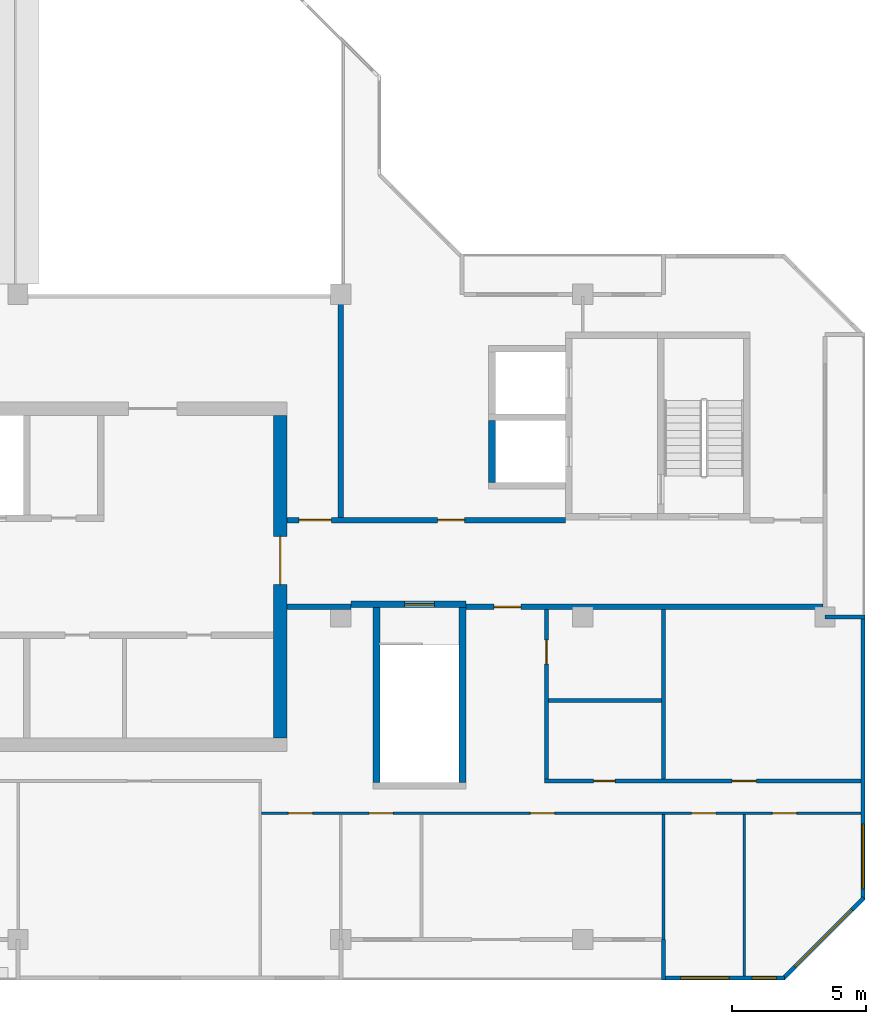
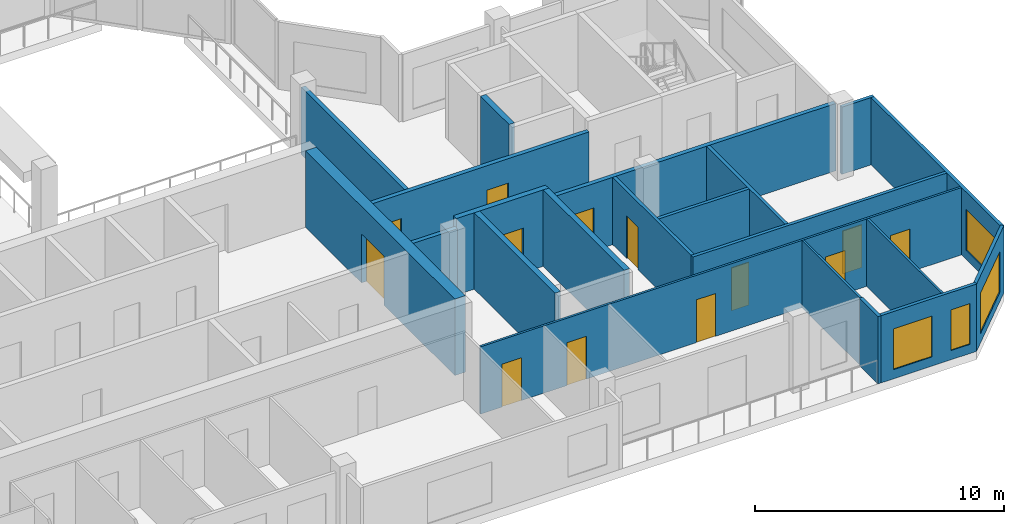
# One storey, part 6 of 11: 21 walls, 13 doors, 4 windows, 17 openings.
"""IFC4 building model written with IfcOpenShell, lengths in metres."""

import ifcopenshell
import ifcopenshell.guid

model = None  # the IFC model being written
_history = None  # IfcOwnerHistory: only IFC2X3 demands one
_inside = {}  # id of a spatial element -> (the spatial element, [elements in it])
_under = {}  # id of a project, library or spatial element -> (it, [spatial elements below it])
_declared = {}  # id of a project -> (the project, [libraries it declares])
_typed = {}  # id of a type object -> (the type object, [elements of that type])
_made_of = {}  # id of a material, layer set ... -> (it, [elements and type objects made of it])


def new_model(schema):
    """Start an empty IFC model of exactly this schema.

    Asked for "IFC4X3", IfcOpenShell would pick the latest addendum, in which some entities
    have other attributes; the version numbers below select the first issue.
    IFC2X3 requires an IfcOwnerHistory on every rooted entity: one is made here for all.
    """
    global model, _history
    if schema == "IFC4X3":
        model = ifcopenshell.file(schema_version=(4, 3, 0, 0))
    else:
        model = ifcopenshell.file(schema=schema)
    _inside.clear()
    _under.clear()
    _declared.clear()
    _typed.clear()
    _made_of.clear()
    _history = None
    if model.schema == "IFC2X3":
        org = make("IfcOrganization", Name="unknown")
        user = make(
            "IfcPersonAndOrganization",
            ThePerson=make("IfcPerson", FamilyName="unknown"),
            TheOrganization=org,
        )
        app = make(
            "IfcApplication",
            ApplicationDeveloper=org,
            Version="unknown",
            ApplicationFullName="unknown",
            ApplicationIdentifier="unknown",
        )
        _history = make(
            "IfcOwnerHistory",
            OwningUser=user,
            OwningApplication=app,
            ChangeAction="ADDED",
            CreationDate=0,
        )
    return model


def make(cls, **values):
    """One entity of the class cls with the attributes given. An attribute that is None is left unset."""
    return model.create_entity(
        cls, **{name: value for name, value in values.items() if value is not None}
    )


def rooted(cls, **values):
    """An entity with a GlobalId (a new one), such as an element, a storey or a relation."""
    return make(cls, GlobalId=ifcopenshell.guid.new(), OwnerHistory=_history, **values)


def si_unit(unit_type, name, prefix=None):
    """IfcSIUnit, for example si_unit("LENGTHUNIT", "METRE", prefix="MILLI")."""
    return make("IfcSIUnit", UnitType=unit_type, Prefix=prefix, Name=name)


def assignment(units):
    """IfcUnitAssignment: the units of a project."""
    return None if units is None else make("IfcUnitAssignment", Units=units)


def point(xyz):
    """IfcCartesianPoint."""
    return None if xyz is None else make("IfcCartesianPoint", Coordinates=xyz)


def direction(xyz):
    """IfcDirection."""
    return None if xyz is None else make("IfcDirection", DirectionRatios=xyz)


def frame(location, z_axis=None, x_axis=None):
    """IfcAxis2Placement3D, a coordinate frame: its origin and axes. An axis left out is left unset."""
    return make(
        "IfcAxis2Placement3D",
        Location=point(location),
        Axis=direction(z_axis),
        RefDirection=direction(x_axis),
    )


def frame_2d(location, x_axis=None):
    """IfcAxis2Placement2D, a coordinate frame in the plane: its origin and x axis."""
    return make(
        "IfcAxis2Placement2D", Location=point(location), RefDirection=direction(x_axis)
    )


def origin():
    """The frame at (0, 0, 0) with its axes left unset."""
    return frame((0.0, 0.0, 0.0))


def place(relative_to, where):
    """IfcLocalPlacement: puts the frame where relative to a parent placement (None: the world)."""
    return make(
        "IfcLocalPlacement", PlacementRelTo=relative_to, RelativePlacement=where
    )


def context(
    kind, dimensions, precision=None, world=None, true_north=None, identifier=None
):
    """IfcGeometricRepresentationContext, for example the 3D "Model" context."""
    return make(
        "IfcGeometricRepresentationContext",
        ContextIdentifier=identifier,
        ContextType=kind,
        CoordinateSpaceDimension=dimensions,
        Precision=precision,
        WorldCoordinateSystem=world,
        TrueNorth=true_north,
    )


def subcontext(parent, identifier, kind, view, scale=None):
    """IfcGeometricRepresentationSubContext, for example "Body" below "Model"."""
    return make(
        "IfcGeometricRepresentationSubContext",
        ContextIdentifier=identifier,
        ContextType=kind,
        ParentContext=parent,
        TargetScale=scale,
        TargetView=view,
    )


def project(units=None, contexts=None):
    """IfcProject with its units and contexts."""
    return rooted(
        "IfcProject",
        Name="project",
        RepresentationContexts=contexts,
        UnitsInContext=assignment(units),
    )


def spatial(cls, under=None, at=None, **own):
    """A site, building, storey or space (cls), placed at a placement, below another one or the project."""
    s = rooted(cls, ObjectPlacement=at, **own)
    if under is not None:
        _under.setdefault(under.id(), (under, []))[1].append(s)
    return s


def profile(cls, at=None, kind="AREA", **sizes):
    """A parametric profile (cls). Its sizes go by their IFC names, for example OverallWidth=200.0."""
    return make(cls, ProfileType=kind, Position=at, **sizes)


def rectangle(**sizes):
    """IfcRectangleProfileDef."""
    return profile("IfcRectangleProfileDef", **sizes)


def extrude(swept, where, along, depth):
    """IfcExtrudedAreaSolid: the profile swept, set in the frame where, extruded along a direction by depth."""
    return make(
        "IfcExtrudedAreaSolid",
        SweptArea=swept,
        Position=where,
        ExtrudedDirection=direction(along),
        Depth=depth,
    )


def shape(context_of_items, identifier, shape_type, items):
    """IfcShapeRepresentation: the items that make up one representation, for example the "Body"."""
    return make(
        "IfcShapeRepresentation",
        ContextOfItems=context_of_items,
        RepresentationIdentifier=identifier,
        RepresentationType=shape_type,
        Items=items,
    )


def material(Name=None, Category=None):
    """IfcMaterial."""
    return make("IfcMaterial", Name=Name, Category=Category)


def layer(
    of_material, thickness, ventilated=None, Name=None, Category=None, Priority=None
):
    """IfcMaterialLayer: one layer of a wall or slab, of a material (None: an air gap)."""
    return make(
        "IfcMaterialLayer",
        Material=of_material,
        LayerThickness=thickness,
        IsVentilated=ventilated,
        Name=Name,
        Category=Category,
        Priority=Priority,
    )


def layer_set(layers, Name=None):
    """IfcMaterialLayerSet."""
    return make("IfcMaterialLayerSet", MaterialLayers=layers, LayerSetName=Name)


def made_of(thing, what):
    """Note that an element or type object is made of a material, layer set ...; save() writes the relation."""
    if what is not None:
        _made_of.setdefault(what.id(), (what, []))[1].append(thing)
    return thing


def type_object(cls, material=None, **own):
    """A type object (cls), such as IfcWallType, which elements share."""
    return made_of(rooted(cls, **own), material)


def element(
    cls,
    number,
    at=None,
    inside=None,
    cuts=None,
    type_object=None,
    material=None,
    context=None,
    identifier="Body",
    shape_type=None,
    held_by="IfcProductDefinitionShape",
    body=None,
    shapes=None,
    **own,
):
    """One element of the class cls, such as IfcWall. Its Tag is "e" and its number.

    at: its placement. inside: the storey or other place that contains it. cuts: it is an
    opening in that element (IfcRelVoidsElement). A single representation is given by context,
    identifier, shape_type and body (its items); several are given by shapes. held_by: the class
    of the entity that holds the representations. save() writes the other relations.
    """
    e = rooted(cls, Tag="e%d" % number, ObjectPlacement=at, **own)
    if body is not None:
        shapes = [shape(context, identifier, shape_type, body)]
    if shapes is not None:
        e.Representation = make(held_by, Representations=shapes)
    if inside is not None:
        _inside.setdefault(inside.id(), (inside, []))[1].append(e)
    if cuts is not None:
        rooted(
            "IfcRelVoidsElement", RelatingBuildingElement=cuts, RelatedOpeningElement=e
        )
    if type_object is not None:
        _typed.setdefault(type_object.id(), (type_object, []))[1].append(e)
    return made_of(e, material)


def fill(opening, filler):
    """IfcRelFillsElement: the door or window that sits in an opening."""
    return rooted(
        "IfcRelFillsElement",
        RelatingOpeningElement=opening,
        RelatedBuildingElement=filler,
    )


def aggregate(whole, parts):
    """IfcRelAggregates: a whole, such as a stair, and the parts it consists of."""
    return rooted("IfcRelAggregates", RelatingObject=whole, RelatedObjects=parts)


def save(model, path):
    """Write the relations noted so far, then the file.

    IfcRelAggregates (storeys below a building ...), IfcRelContainedInSpatialStructure (elements
    in a storey), IfcRelDefinesByType, IfcRelAssociatesMaterial and IfcRelDeclares: one each for
    every whole, place, type object, material and project.
    """
    for whole, parts in _under.values():
        aggregate(whole, parts)
    for where, things in _inside.values():
        rooted(
            "IfcRelContainedInSpatialStructure",
            RelatedElements=things,
            RelatingStructure=where,
        )
    for kind, things in _typed.values():
        rooted("IfcRelDefinesByType", RelatedObjects=things, RelatingType=kind)
    for what, things in _made_of.values():
        rooted("IfcRelAssociatesMaterial", RelatedObjects=things, RelatingMaterial=what)
    for by, libraries in _declared.values():
        rooted("IfcRelDeclares", RelatingContext=by, RelatedDefinitions=libraries)
    model.write(path)


model = new_model("IFC4")

# Units and contexts
model_context = context("Model", 3, precision=1e-05, world=origin(), true_north=direction((0.0, 1.0)))
body_context = subcontext(model_context, "Body", "Model", "MODEL_VIEW")
ifc_project = project(units=[si_unit("LENGTHUNIT", "METRE"), si_unit("AREAUNIT", "SQUARE_METRE"), si_unit("VOLUMEUNIT", "CUBIC_METRE"), si_unit("PLANEANGLEUNIT", "RADIAN"), si_unit("MASSUNIT", "GRAM", prefix="KILO")], contexts=[model_context])

# Site, building, storey
site_placement = place(None, origin())
site = spatial("IfcSite", under=ifc_project, at=site_placement, CompositionType="ELEMENT")
building_placement = place(site_placement, origin())
building = spatial("IfcBuilding", under=site, at=building_placement, Name="Chenar Terraces", CompositionType="ELEMENT")
storey_placement = place(building_placement, frame((0.0, 0.0, 380.14990234375)))
storey = spatial("IfcBuildingStorey", under=building, at=storey_placement, Name="L89", CompositionType="ELEMENT", Elevation=380.14990234375)

# Wall, opening, door
ifc_material_1 = material(Name="Concrete C50/60", Category="concrete")
ifc_layer_1 = layer(ifc_material_1, 0.25)
ifc_layer_set_1 = layer_set([ifc_layer_1], Name="Concrete C50/60")
wall_type_1 = type_object("IfcWallType", Name="Core wall 250 Concrete C50/60", PredefinedType="SHEAR", material=ifc_layer_set_1)
wall_1_placement = place(storey_placement, frame((36.375, 12.47509765625, 0.0), z_axis=(0.0, 0.0, 1.0), x_axis=(1.0, 0.0, 0.0)))
wall_1 = element("IfcWall", 1, at=wall_1_placement, inside=storey, type_object=wall_type_1, Name="Core wall ST2_N L89", PredefinedType="SHEAR", context=body_context, shape_type="SweptSolid", body=[
    extrude(rectangle(XDim=4.27490234375, YDim=0.25, at=frame_2d((2.137451171875, 0.0))), origin(), (0.0, 0.0, 1.0), 3.75),
])
opening_1_placement = place(wall_1_placement, frame((2.0, 0.0, 0.0)))
opening_1 = element("IfcOpeningElement", 2, at=opening_1_placement, cuts=wall_1, Name="Opening DL89-C7", PredefinedType="OPENING", context=body_context, shape_type="SweptSolid", body=[
    extrude(rectangle(XDim=1.10009765625, YDim=2.199951171875, at=frame_2d((0.550048828125, 1.10009765625))), frame((0.0, 0.135009765625, 0.0), z_axis=(0.0, -1.0, 0.0), x_axis=(1.0, 0.0, 0.0)), (0.0, 0.0, 1.0), 0.27001953125),
])
ifc_material_2 = material(Name="Steel-framed fire-resisting door leaf", Category="steel")
door_type_1 = type_object("IfcDoorType", Name="Stair fire door FD60 1100 x 2200", OperationType="SINGLE_SWING_LEFT", PredefinedType="DOOR", material=ifc_material_2)
door_1_placement = place(opening_1_placement, frame((1.10009765625, 0.0, 0.0), z_axis=(0.0, 0.0, 1.0), x_axis=(-1.0, 0.0, 0.0)))
door_1 = element("IfcDoor", 3, at=door_1_placement, inside=storey, type_object=door_type_1, Name="Stair door DL89-C7", OperationType="SINGLE_SWING_LEFT", OverallHeight=2.199951171875, OverallWidth=1.10009765625, PredefinedType="DOOR", context=body_context, shape_type="SweptSolid", body=[
    extrude(rectangle(XDim=1.10009765625, YDim=2.199951171875, at=frame_2d((0.550048828125, 1.10009765625))), frame((0.0, 0.02490234375, 0.0), z_axis=(0.0, -1.0, 0.0), x_axis=(1.0, 0.0, 0.0)), (0.0, 0.0, 1.0), 0.050048828125),
])
fill(opening_1, door_1)

# Walls
for number, where, z_axis, x_axis, name in (
    (4, (37.324951171875, 5.85009765625, 0.0), (0.0, 0.0, 1.0), (0.0, 1.0, 0.0), "Core wall ST2_W L89"),
    (5, (40.52490234375, 5.85009765625, 0.0), (0.0, 0.0, 1.0), (0.0, 1.0, 0.0), "Core wall ST2_E L89"),
):
    element("IfcWall", number, at=place(storey_placement, frame(where, z_axis=z_axis, x_axis=x_axis)), inside=storey, type_object=wall_type_1, Name=name, PredefinedType="SHEAR", context=body_context, shape_type="SweptSolid", body=[
        extrude(rectangle(XDim=6.5, YDim=0.25, at=frame_2d((3.25, 0.0))), origin(), (0.0, 0.0, 1.0), 3.75),
    ])
wall_2_placement = place(storey_placement, frame((41.625, 17.0, 0.0), z_axis=(0.0, 0.0, 1.0), x_axis=(0.0, 1.0, 0.0)))
element("IfcWall", 6, at=wall_2_placement, inside=storey, type_object=wall_type_1, Name="Core wall F3_SW L89", PredefinedType="SHEAR", context=body_context, shape_type="SweptSolid", body=[
    extrude(rectangle(XDim=2.300048828125, YDim=0.25, at=frame_2d((1.14990234375, 0.0))), origin(), (0.0, 0.0, 1.0), 3.75),
])

# Wall, opening, door
ifc_material_3 = material(Name="Concrete C50/60", Category="concrete")
ifc_layer_2 = layer(ifc_material_3, 0.5)
ifc_layer_set_2 = layer_set([ifc_layer_2], Name="Concrete C50/60")
wall_type_2 = type_object("IfcWallType", Name="Core wall 500 Concrete C50/60", PredefinedType="SHEAR", material=ifc_layer_set_2)
wall_3_placement = place(storey_placement, frame((33.75, 7.5, 0.0), z_axis=(0.0, 0.0, 1.0), x_axis=(0.0, 1.0, 0.0)))
wall_3 = element("IfcWall", 7, at=wall_3_placement, inside=storey, type_object=wall_type_2, Name="Core wall E L89", PredefinedType="SHEAR", context=body_context, shape_type="SweptSolid", body=[
    extrude(rectangle(XDim=12.0, YDim=0.5, at=frame_2d((6.0, 0.0))), origin(), (0.0, 0.0, 1.0), 3.75),
])
opening_2_placement = place(wall_3_placement, frame((5.699951171875, 0.0, 0.0)))
opening_2 = element("IfcOpeningElement", 8, at=opening_2_placement, cuts=wall_3, Name="Opening DL89-C1", PredefinedType="OPENING", context=body_context, shape_type="SweptSolid", body=[
    extrude(rectangle(XDim=1.800048828125, YDim=2.39990234375, at=frame_2d((0.89990234375, 1.199951171875))), frame((0.0, 0.260009765625, 0.0), z_axis=(0.0, -1.0, 0.0), x_axis=(1.0, 0.0, 0.0)), (0.0, 0.0, 1.0), 0.52001953125),
])
ifc_material_4 = material(Name="Steel-framed fire-resisting door leaf", Category="steel")
door_type_2 = type_object("IfcDoorType", Name="Core entrance double fire door FD60 1800 x 2400", OperationType="DOUBLE_DOOR_SINGLE_SWING", PredefinedType="DOOR", material=ifc_material_4)
door_2_placement = place(opening_2_placement, origin())
door_2 = element("IfcDoor", 9, at=door_2_placement, inside=storey, type_object=door_type_2, Name="Core door DL89-C1", OperationType="DOUBLE_DOOR_SINGLE_SWING", OverallHeight=2.39990234375, OverallWidth=1.800048828125, PredefinedType="DOOR", context=body_context, shape_type="SweptSolid", body=[
    extrude(rectangle(XDim=1.800048828125, YDim=2.39990234375, at=frame_2d((0.89990234375, 1.199951171875))), frame((0.0, 0.02490234375, 0.0), z_axis=(0.0, -1.0, 0.0), x_axis=(1.0, 0.0, 0.0)), (0.0, 0.0, 1.0), 0.050048828125),
])
fill(opening_2, door_2)

# Wall
ifc_material_5 = material(Name="Gypsum board on steel studs with fire boards", Category="steel")
ifc_layer_3 = layer(ifc_material_5, 0.199951171875)
ifc_layer_set_3 = layer_set([ifc_layer_3], Name="Gypsum board on steel studs with fire boards")
wall_type_3 = type_object("IfcWallType", Name="Corridor wall 200", PredefinedType="PARTITIONING", material=ifc_layer_set_3)
wall_4_placement = place(storey_placement, frame((34.0, 12.375, 0.0), z_axis=(0.0, 0.0, 1.0), x_axis=(1.0, 0.0, 0.0)))
element("IfcWall", 10, at=wall_4_placement, inside=storey, type_object=wall_type_3, Name="Partition L89-048", PredefinedType="PARTITIONING", context=body_context, shape_type="SweptSolid", body=[
    extrude(rectangle(XDim=2.3759765625, YDim=0.199951171875, at=frame_2d((1.18798828125, 0.0))), origin(), (0.0, 0.0, 1.0), 3.300048828125),
])

# Wall, openings, doors
wall_5_placement = place(storey_placement, frame((34.0, 15.60009765625, 0.0), z_axis=(0.0, 0.0, 1.0), x_axis=(1.0, 0.0, 0.0)))
wall_5 = element("IfcWall", 11, at=wall_5_placement, inside=storey, type_object=wall_type_3, Name="Partition L89-049", PredefinedType="PARTITIONING", context=body_context, shape_type="SweptSolid", body=[
    extrude(rectangle(XDim=10.35009765625, YDim=0.199951171875, at=frame_2d((5.175048828125, 0.0))), origin(), (0.0, 0.0, 1.0), 3.300048828125),
])
opening_3_placement = place(wall_5_placement, frame((5.60009765625, 0.0, 0.0)))
opening_3 = element("IfcOpeningElement", 12, at=opening_3_placement, cuts=wall_5, Name="Opening DL89-3", PredefinedType="OPENING", context=body_context, shape_type="SweptSolid", body=[
    extrude(rectangle(XDim=1.0, YDim=2.10009765625, at=frame_2d((0.5, 1.050048828125))), frame((0.0, 0.10986328125, 0.0), z_axis=(0.0, -1.0, 0.0), x_axis=(1.0, 0.0, 0.0)), (0.0, 0.0, 1.0), 0.219970703125),
])
opening_4_placement = place(wall_5_placement, frame((0.449951171875, 0.0, 0.0)))
opening_4 = element("IfcOpeningElement", 13, at=opening_4_placement, cuts=wall_5, Name="Opening DL89-17", PredefinedType="OPENING", context=body_context, shape_type="SweptSolid", body=[
    extrude(rectangle(XDim=1.199951171875, YDim=2.10009765625, at=frame_2d((0.60009765625, 1.050048828125))), frame((0.0, 0.10986328125, 0.0), z_axis=(0.0, -1.0, 0.0), x_axis=(1.0, 0.0, 0.0)), (0.0, 0.0, 1.0), 0.219970703125),
])
ifc_material_6 = material(Name="Steel-framed fire-resisting door leaf", Category="steel")
door_type_3 = type_object("IfcDoorType", Name="Fire door FD60 1000 x 2100", OperationType="SINGLE_SWING_LEFT", PredefinedType="DOOR", material=ifc_material_6)
door_3_placement = place(opening_3_placement, origin())
door_3 = element("IfcDoor", 14, at=door_3_placement, inside=storey, type_object=door_type_3, Name="Door DL89-3", OperationType="SINGLE_SWING_RIGHT", OverallHeight=2.10009765625, OverallWidth=1.0, PredefinedType="DOOR", context=body_context, shape_type="SweptSolid", body=[
    extrude(rectangle(XDim=1.0, YDim=2.10009765625, at=frame_2d((0.5, 1.050048828125))), frame((0.0, 0.02490234375, 0.0), z_axis=(0.0, -1.0, 0.0), x_axis=(1.0, 0.0, 0.0)), (0.0, 0.0, 1.0), 0.050048828125),
])
fill(opening_3, door_3)
ifc_material_7 = material(Name="Steel-framed fire-resisting door leaf", Category="steel")
door_type_4 = type_object("IfcDoorType", Name="Fire door FD60 1200 x 2100", OperationType="SINGLE_SWING_LEFT", PredefinedType="DOOR", material=ifc_material_7)
door_4_placement = place(opening_4_placement, origin())
door_4 = element("IfcDoor", 15, at=door_4_placement, inside=storey, type_object=door_type_4, Name="Door DL89-17", OperationType="SINGLE_SWING_RIGHT", OverallHeight=2.10009765625, OverallWidth=1.199951171875, PredefinedType="DOOR", context=body_context, shape_type="SweptSolid", body=[
    extrude(rectangle(XDim=1.199951171875, YDim=2.10009765625, at=frame_2d((0.60009765625, 1.050048828125))), frame((0.0, 0.02490234375, 0.0), z_axis=(0.0, -1.0, 0.0), x_axis=(1.0, 0.0, 0.0)), (0.0, 0.0, 1.0), 0.050048828125),
])
fill(opening_4, door_4)

# Wall
wall_6_placement = place(storey_placement, frame((36.0, 15.699951171875, 0.0), z_axis=(0.0, 0.0, 1.0), x_axis=(0.0, 1.0, 0.0)))
element("IfcWall", 16, at=wall_6_placement, inside=storey, type_object=wall_type_3, Name="Partition L89-051", PredefinedType="PARTITIONING", context=body_context, shape_type="SweptSolid", body=[
    extrude(rectangle(XDim=8.300048828125, YDim=0.199951171875, at=frame_2d((4.14990234375, 0.0))), origin(), (0.0, 0.0, 1.0), 3.300048828125),
])

# Wall, opening, door
wall_7_placement = place(storey_placement, frame((40.64990234375, 12.375, 0.0), z_axis=(0.0, 0.0, 1.0), x_axis=(1.0, 0.0, 0.0)))
wall_7 = element("IfcWall", 17, at=wall_7_placement, inside=storey, type_object=wall_type_3, Name="Partition L89-053", PredefinedType="PARTITIONING", context=body_context, shape_type="SweptSolid", body=[
    extrude(rectangle(XDim=13.276123046875, YDim=0.199951171875, at=frame_2d((6.63818359375, 0.0))), origin(), (0.0, 0.0, 1.0), 3.300048828125),
])
opening_5_placement = place(wall_7_placement, frame((1.050048828125, 0.0, 0.0)))
opening_5 = element("IfcOpeningElement", 18, at=opening_5_placement, cuts=wall_7, Name="Opening DL89-33", PredefinedType="OPENING", context=body_context, shape_type="SweptSolid", body=[
    extrude(rectangle(XDim=1.0, YDim=2.10009765625, at=frame_2d((0.5, 1.050048828125))), frame((0.0, 0.10986328125, 0.0), z_axis=(0.0, -1.0, 0.0), x_axis=(1.0, 0.0, 0.0)), (0.0, 0.0, 1.0), 0.219970703125),
])
ifc_material_8 = material(Name="Steel-framed fire-resisting door leaf", Category="steel")
door_type_5 = type_object("IfcDoorType", Name="Fire door FD30S 1000 x 2100", OperationType="SINGLE_SWING_LEFT", PredefinedType="DOOR", material=ifc_material_8)
door_5_placement = place(opening_5_placement, origin())
door_5 = element("IfcDoor", 19, at=door_5_placement, inside=storey, type_object=door_type_5, Name="Door DL89-33", OperationType="SINGLE_SWING_LEFT", OverallHeight=2.10009765625, OverallWidth=1.0, PredefinedType="DOOR", context=body_context, shape_type="SweptSolid", body=[
    extrude(rectangle(XDim=1.0, YDim=2.10009765625, at=frame_2d((0.5, 1.050048828125))), frame((0.0, 0.02490234375, 0.0), z_axis=(0.0, -1.0, 0.0), x_axis=(1.0, 0.0, 0.0)), (0.0, 0.0, 1.0), 0.050048828125),
])
fill(opening_5, door_5)

# Wall, openings, windows
ifc_material_9 = material(Name="Aluminium framed glazing", Category="aluminium")
ifc_layer_4 = layer(ifc_material_9, 0.14990234375)
ifc_layer_set_4 = layer_set([ifc_layer_4], Name="Aluminium framed glazing")
wall_type_4 = type_object("IfcWallType", Name="Glazed flush facade wall 150", PredefinedType="SOLIDWALL", material=ifc_layer_set_4)
wall_8_placement = place(storey_placement, frame((48.074951171875, -1.425048828125, 0.0), z_axis=(0.0, 0.0, 1.0), x_axis=(1.0, 0.0, 0.0)))
wall_8 = element("IfcWall", 20, at=wall_8_placement, inside=storey, type_object=wall_type_4, Name="Glazed flush facade wall", PredefinedType="SOLIDWALL", context=body_context, shape_type="SweptSolid", body=[
    extrude(rectangle(XDim=4.425048828125, YDim=0.14990234375, at=frame_2d((2.21240234375, 0.0))), origin(), (0.0, 0.0, 1.0), 3.300048828125),
])
opening_6_placement = place(wall_8_placement, frame((0.5625, 0.0, 0.449951171875)))
opening_6 = element("IfcOpeningElement", 21, at=opening_6_placement, cuts=wall_8, Name="Opening W180x200", PredefinedType="OPENING", context=body_context, shape_type="SweptSolid", body=[
    extrude(rectangle(XDim=1.800048828125, YDim=2.0, at=frame_2d((0.89990234375, 1.0))), frame((0.0, 0.0849609375, 0.0), z_axis=(0.0, -1.0, 0.0), x_axis=(1.0, 0.0, 0.0)), (0.0, 0.0, 1.0), 0.169921875),
])
opening_7_placement = place(wall_8_placement, frame((3.22509765625, 0.0, 0.449951171875)))
opening_7 = element("IfcOpeningElement", 22, at=opening_7_placement, cuts=wall_8, Name="Opening W90x200", PredefinedType="OPENING", context=body_context, shape_type="SweptSolid", body=[
    extrude(rectangle(XDim=0.89990234375, YDim=2.0, at=frame_2d((0.449951171875, 1.0))), frame((0.0, 0.0849609375, 0.0), z_axis=(0.0, -1.0, 0.0), x_axis=(1.0, 0.0, 0.0)), (0.0, 0.0, 1.0), 0.169921875),
])
ifc_material_10 = material(Name="Low emissivity double glazing, aluminium frame", Category="aluminium")
window_type_1 = type_object("IfcWindowType", Name="Fixed light 1800 x 2000", PartitioningType="SINGLE_PANEL", PredefinedType="WINDOW", material=ifc_material_10)
window_1_placement = place(opening_6_placement, origin())
window_1 = element("IfcWindow", 23, at=window_1_placement, inside=storey, type_object=window_type_1, Name="Window", OverallHeight=2.0, OverallWidth=1.800048828125, PartitioningType="SINGLE_PANEL", PredefinedType="WINDOW", context=body_context, shape_type="SweptSolid", body=[
    extrude(rectangle(XDim=1.800048828125, YDim=2.0, at=frame_2d((0.89990234375, 1.0))), frame((0.0, 0.030029296875, 0.0), z_axis=(0.0, -1.0, 0.0), x_axis=(1.0, 0.0, 0.0)), (0.0, 0.0, 1.0), 0.06005859375),
])
fill(opening_6, window_1)
ifc_material_11 = material(Name="Low emissivity double glazing, aluminium frame", Category="aluminium")
window_type_2 = type_object("IfcWindowType", Name="Fixed light 900 x 2000", PartitioningType="SINGLE_PANEL", PredefinedType="WINDOW", material=ifc_material_11)
window_2_placement = place(opening_7_placement, origin())
window_2 = element("IfcWindow", 24, at=window_2_placement, inside=storey, type_object=window_type_2, Name="Window", OverallHeight=2.0, OverallWidth=0.89990234375, PartitioningType="SINGLE_PANEL", PredefinedType="WINDOW", context=body_context, shape_type="SweptSolid", body=[
    extrude(rectangle(XDim=0.89990234375, YDim=2.0, at=frame_2d((0.449951171875, 1.0))), frame((0.0, 0.030029296875, 0.0), z_axis=(0.0, -1.0, 0.0), x_axis=(1.0, 0.0, 0.0)), (0.0, 0.0, 1.0), 0.06005859375),
])
fill(opening_7, window_2)

# Wall, opening, window
wall_9_placement = place(storey_placement, frame((55.425048828125, 1.5, 0.0), z_axis=(0.0, 0.0, 1.0), x_axis=(0.0, 1.0, 0.0)))
wall_9 = element("IfcWall", 25, at=wall_9_placement, inside=storey, type_object=wall_type_4, Name="Glazed flush facade wall", PredefinedType="SOLIDWALL", context=body_context, shape_type="SweptSolid", body=[
    extrude(rectangle(XDim=10.425048828125, YDim=0.14990234375, at=frame_2d((5.21240234375, 0.0))), origin(), (0.0, 0.0, 1.0), 3.300048828125),
])
opening_8_placement = place(wall_9_placement, frame((0.39990234375, 0.0, 0.449951171875)))
opening_8 = element("IfcOpeningElement", 26, at=opening_8_placement, cuts=wall_9, Name="Opening W240x200", PredefinedType="OPENING", context=body_context, shape_type="SweptSolid", body=[
    extrude(rectangle(XDim=2.39990234375, YDim=2.0, at=frame_2d((1.199951171875, 1.0))), frame((0.0, 0.0849609375, 0.0), z_axis=(0.0, -1.0, 0.0), x_axis=(1.0, 0.0, 0.0)), (0.0, 0.0, 1.0), 0.169921875),
])
ifc_material_12 = material(Name="Low emissivity double glazing, aluminium frame", Category="aluminium")
window_type_3 = type_object("IfcWindowType", Name="Fixed light 2400 x 2000", PartitioningType="SINGLE_PANEL", PredefinedType="WINDOW", material=ifc_material_12)
window_3_placement = place(opening_8_placement, origin())
window_3 = element("IfcWindow", 27, at=window_3_placement, inside=storey, type_object=window_type_3, Name="Window", OverallHeight=2.0, OverallWidth=2.39990234375, PartitioningType="SINGLE_PANEL", PredefinedType="WINDOW", context=body_context, shape_type="SweptSolid", body=[
    extrude(rectangle(XDim=2.39990234375, YDim=2.0, at=frame_2d((1.199951171875, 1.0))), frame((0.0, 0.030029296875, 0.0), z_axis=(0.0, -1.0, 0.0), x_axis=(1.0, 0.0, 0.0)), (0.0, 0.0, 1.0), 0.06005859375),
])
fill(opening_8, window_3)

# Wall, openings, doors
ifc_material_13 = material(Name="Gypsum board on steel studs", Category="steel")
ifc_layer_5 = layer(ifc_material_13, 0.10009765625)
ifc_layer_set_5 = layer_set([ifc_layer_5], Name="Gypsum board on steel studs")
wall_type_5 = type_object("IfcWallType", Name="Gypsum partition 100", PredefinedType="PARTITIONING", material=ifc_layer_set_5)
wall_10_placement = place(storey_placement, frame((33.050048828125, 4.699951171875, 0.0), z_axis=(0.0, 0.0, 1.0), x_axis=(1.0, 0.0, 0.0)))
wall_10 = element("IfcWall", 28, at=wall_10_placement, inside=storey, type_object=wall_type_5, Name="Partition L89-047", PredefinedType="PARTITIONING", context=body_context, shape_type="SweptSolid", body=[
    extrude(rectangle(XDim=22.301025390625, YDim=0.10009765625, at=frame_2d((11.150390625, 0.0))), origin(), (0.0, 0.0, 1.0), 3.300048828125),
])
opening_9_placement = place(wall_10_placement, frame((1.0, 0.0, 0.0)))
opening_9 = element("IfcOpeningElement", 29, at=opening_9_placement, cuts=wall_10, Name="Opening DL89-27", PredefinedType="OPENING", context=body_context, shape_type="SweptSolid", body=[
    extrude(rectangle(XDim=0.89990234375, YDim=2.10009765625, at=frame_2d((0.449951171875, 1.050048828125))), frame((0.0, 0.06005859375, 0.0), z_axis=(0.0, -1.0, 0.0), x_axis=(1.0, 0.0, 0.0)), (0.0, 0.0, 1.0), 0.1201171875),
])
opening_10_placement = place(wall_10_placement, frame((4.0, 0.0, 0.0)))
opening_10 = element("IfcOpeningElement", 30, at=opening_10_placement, cuts=wall_10, Name="Opening DL89-28", PredefinedType="OPENING", context=body_context, shape_type="SweptSolid", body=[
    extrude(rectangle(XDim=0.89990234375, YDim=2.10009765625, at=frame_2d((0.449951171875, 1.050048828125))), frame((0.0, 0.06005859375, 0.0), z_axis=(0.0, -1.0, 0.0), x_axis=(1.0, 0.0, 0.0)), (0.0, 0.0, 1.0), 0.1201171875),
])
opening_11_placement = place(wall_10_placement, frame((16.0, 0.0, 0.0)))
opening_11 = element("IfcOpeningElement", 31, at=opening_11_placement, cuts=wall_10, Name="Opening DL89-29", PredefinedType="OPENING", context=body_context, shape_type="SweptSolid", body=[
    extrude(rectangle(XDim=0.89990234375, YDim=2.10009765625, at=frame_2d((0.449951171875, 1.050048828125))), frame((0.0, 0.06005859375, 0.0), z_axis=(0.0, -1.0, 0.0), x_axis=(1.0, 0.0, 0.0)), (0.0, 0.0, 1.0), 0.1201171875),
])
opening_12_placement = place(wall_10_placement, frame((19.0, 0.0, 0.0)))
opening_12 = element("IfcOpeningElement", 32, at=opening_12_placement, cuts=wall_10, Name="Opening DL89-30", PredefinedType="OPENING", context=body_context, shape_type="SweptSolid", body=[
    extrude(rectangle(XDim=0.89990234375, YDim=2.10009765625, at=frame_2d((0.449951171875, 1.050048828125))), frame((0.0, 0.06005859375, 0.0), z_axis=(0.0, -1.0, 0.0), x_axis=(1.0, 0.0, 0.0)), (0.0, 0.0, 1.0), 0.1201171875),
])
opening_13_placement = place(wall_10_placement, frame((10.0, 0.0, 0.0)))
opening_13 = element("IfcOpeningElement", 33, at=opening_13_placement, cuts=wall_10, Name="Opening DL89-36", PredefinedType="OPENING", context=body_context, shape_type="SweptSolid", body=[
    extrude(rectangle(XDim=0.89990234375, YDim=2.10009765625, at=frame_2d((0.449951171875, 1.050048828125))), frame((0.0, 0.06005859375, 0.0), z_axis=(0.0, -1.0, 0.0), x_axis=(1.0, 0.0, 0.0)), (0.0, 0.0, 1.0), 0.1201171875),
])
ifc_material_14 = material(Name="Veneered timber door leaf", Category="wood")
door_type_6 = type_object("IfcDoorType", Name="Door 900 x 2100", OperationType="SINGLE_SWING_LEFT", PredefinedType="DOOR", material=ifc_material_14)
door_6_placement = place(opening_9_placement, frame((0.89990234375, 0.0, 0.0), z_axis=(0.0, 0.0, 1.0), x_axis=(-1.0, 0.0, 0.0)))
door_6 = element("IfcDoor", 34, at=door_6_placement, inside=storey, type_object=door_type_6, Name="Door DL89-27", OperationType="SINGLE_SWING_LEFT", OverallHeight=2.10009765625, OverallWidth=0.89990234375, PredefinedType="DOOR", context=body_context, shape_type="SweptSolid", body=[
    extrude(rectangle(XDim=0.89990234375, YDim=2.10009765625, at=frame_2d((0.449951171875, 1.050048828125))), frame((0.0, 0.02490234375, 0.0), z_axis=(0.0, -1.0, 0.0), x_axis=(1.0, 0.0, 0.0)), (0.0, 0.0, 1.0), 0.050048828125),
])
fill(opening_9, door_6)
door_7_placement = place(opening_10_placement, frame((0.89990234375, 0.0, 0.0), z_axis=(0.0, 0.0, 1.0), x_axis=(-1.0, 0.0, 0.0)))
door_7 = element("IfcDoor", 35, at=door_7_placement, inside=storey, type_object=door_type_6, Name="Door DL89-28", OperationType="SINGLE_SWING_LEFT", OverallHeight=2.10009765625, OverallWidth=0.89990234375, PredefinedType="DOOR", context=body_context, shape_type="SweptSolid", body=[
    extrude(rectangle(XDim=0.89990234375, YDim=2.10009765625, at=frame_2d((0.449951171875, 1.050048828125))), frame((0.0, 0.02490234375, 0.0), z_axis=(0.0, -1.0, 0.0), x_axis=(1.0, 0.0, 0.0)), (0.0, 0.0, 1.0), 0.050048828125),
])
fill(opening_10, door_7)
door_8_placement = place(opening_11_placement, frame((0.89990234375, 0.0, 0.0), z_axis=(0.0, 0.0, 1.0), x_axis=(-1.0, 0.0, 0.0)))
door_8 = element("IfcDoor", 36, at=door_8_placement, inside=storey, type_object=door_type_6, Name="Door DL89-29", OperationType="SINGLE_SWING_LEFT", OverallHeight=2.10009765625, OverallWidth=0.89990234375, PredefinedType="DOOR", context=body_context, shape_type="SweptSolid", body=[
    extrude(rectangle(XDim=0.89990234375, YDim=2.10009765625, at=frame_2d((0.449951171875, 1.050048828125))), frame((0.0, 0.02490234375, 0.0), z_axis=(0.0, -1.0, 0.0), x_axis=(1.0, 0.0, 0.0)), (0.0, 0.0, 1.0), 0.050048828125),
])
fill(opening_11, door_8)
door_9_placement = place(opening_12_placement, frame((0.89990234375, 0.0, 0.0), z_axis=(0.0, 0.0, 1.0), x_axis=(-1.0, 0.0, 0.0)))
door_9 = element("IfcDoor", 37, at=door_9_placement, inside=storey, type_object=door_type_6, Name="Door DL89-30", OperationType="SINGLE_SWING_RIGHT", OverallHeight=2.10009765625, OverallWidth=0.89990234375, PredefinedType="DOOR", context=body_context, shape_type="SweptSolid", body=[
    extrude(rectangle(XDim=0.89990234375, YDim=2.10009765625, at=frame_2d((0.449951171875, 1.050048828125))), frame((0.0, 0.02490234375, 0.0), z_axis=(0.0, -1.0, 0.0), x_axis=(1.0, 0.0, 0.0)), (0.0, 0.0, 1.0), 0.050048828125),
])
fill(opening_12, door_9)
door_10_placement = place(opening_13_placement, frame((0.89990234375, 0.0, 0.0), z_axis=(0.0, 0.0, 1.0), x_axis=(-1.0, 0.0, 0.0)))
door_10 = element("IfcDoor", 38, at=door_10_placement, inside=storey, type_object=door_type_6, Name="Door DL89-36", OperationType="SINGLE_SWING_LEFT", OverallHeight=2.10009765625, OverallWidth=0.89990234375, PredefinedType="DOOR", context=body_context, shape_type="SweptSolid", body=[
    extrude(rectangle(XDim=0.89990234375, YDim=2.10009765625, at=frame_2d((0.449951171875, 1.050048828125))), frame((0.0, 0.02490234375, 0.0), z_axis=(0.0, -1.0, 0.0), x_axis=(1.0, 0.0, 0.0)), (0.0, 0.0, 1.0), 0.050048828125),
])
fill(opening_13, door_10)

# Walls
wall_11_placement = place(storey_placement, frame((48.0, 0.0, 0.0), z_axis=(0.0, 0.0, 1.0), x_axis=(0.0, 1.0, 0.0)))
element("IfcWall", 39, at=wall_11_placement, inside=storey, type_object=wall_type_5, Name="Partition L89-058", PredefinedType="PARTITIONING", context=body_context, shape_type="SweptSolid", body=[
    extrude(rectangle(XDim=4.64990234375, YDim=0.10009765625, at=frame_2d((2.324951171875, 0.0))), origin(), (0.0, 0.0, 1.0), 3.300048828125),
])
wall_12_placement = place(storey_placement, frame((51.0, -1.35107421875, 0.0), z_axis=(0.0, 0.0, 1.0), x_axis=(0.0, 1.0, 0.0)))
element("IfcWall", 40, at=wall_12_placement, inside=storey, type_object=wall_type_5, Name="Partition L89-060", PredefinedType="PARTITIONING", context=body_context, shape_type="SweptSolid", body=[
    extrude(rectangle(XDim=6.0009765625, YDim=0.10009765625, at=frame_2d((3.00048828125, 0.0))), origin(), (0.0, 0.0, 1.0), 3.300048828125),
])
ifc_material_15 = material(Name="Terracotta cladding on insulated backing", Category="masonry")
ifc_layer_6 = layer(ifc_material_15, 0.14990234375)
ifc_layer_set_6 = layer_set([ifc_layer_6], Name="Terracotta cladding on insulated backing")
wall_type_6 = type_object("IfcWallType", Name="Loggia return wall 150", PredefinedType="SOLIDWALL", material=ifc_layer_set_6)
for number, where, z_axis, x_axis, name in (
    (41, (48.0, -1.5, 0.0), (0.0, 0.0, 1.0), (0.0, 1.0, 0.0), "Loggia return wall"),
    (42, (55.5, 12.0, 0.0), (0.0, 0.0, 1.0), (-1.0, 0.0, 0.0), "Loggia return wall"),
):
    element("IfcWall", number, at=place(storey_placement, frame(where, z_axis=z_axis, x_axis=x_axis)), inside=storey, type_object=wall_type_6, Name=name, PredefinedType="SOLIDWALL", context=body_context, shape_type="SweptSolid", body=[
        extrude(rectangle(XDim=1.5, YDim=0.14990234375, at=frame_2d((0.75, 0.0))), origin(), (0.0, 0.0, 1.0), 3.300048828125),
    ])

# Wall, opening, window
ifc_material_16 = material(Name="Terracotta cladding on insulated backing", Category="masonry")
ifc_layer_7 = layer(ifc_material_16, 0.14990234375)
ifc_layer_set_7 = layer_set([ifc_layer_7], Name="Terracotta cladding on insulated backing")
wall_type_7 = type_object("IfcWallType", Name="Terracotta rainscreen wall 150", PredefinedType="SOLIDWALL", material=ifc_layer_set_7)
wall_13_placement = place(storey_placement, frame((52.447021484375, -1.447021484375, 0.0), z_axis=(0.0, 0.0, 1.0), x_axis=(0.707106781187, 0.707106781187, 0.0)))
wall_13 = element("IfcWall", 43, at=wall_13_placement, inside=storey, type_object=wall_type_7, Name="Terracotta rainscreen wall", PredefinedType="SOLIDWALL", context=body_context, shape_type="SweptSolid", body=[
    extrude(rectangle(XDim=4.24267578125, YDim=0.14990234375, at=frame_2d((2.121337890625, 0.0))), origin(), (0.0, 0.0, 1.0), 3.300048828125),
])
opening_14_placement = place(wall_13_placement, frame((0.621337890625, 0.0, 0.449951171875)))
opening_14 = element("IfcOpeningElement", 44, at=opening_14_placement, cuts=wall_13, Name="Opening W300x200", PredefinedType="OPENING", context=body_context, shape_type="SweptSolid", body=[
    extrude(rectangle(XDim=3.0, YDim=2.0, at=frame_2d((1.5, 1.0))), frame((0.0, 0.0849609375, 0.0), z_axis=(0.0, -1.0, 0.0), x_axis=(1.0, 0.0, 0.0)), (0.0, 0.0, 1.0), 0.169921875),
])
ifc_material_17 = material(Name="Low emissivity double glazing, aluminium frame", Category="aluminium")
window_type_4 = type_object("IfcWindowType", Name="Fixed light 3000 x 2000", PartitioningType="SINGLE_PANEL", PredefinedType="WINDOW", material=ifc_material_17)
window_4_placement = place(opening_14_placement, origin())
window_4 = element("IfcWindow", 45, at=window_4_placement, inside=storey, type_object=window_type_4, Name="Window", OverallHeight=2.0, OverallWidth=3.0, PartitioningType="SINGLE_PANEL", PredefinedType="WINDOW", context=body_context, shape_type="SweptSolid", body=[
    extrude(rectangle(XDim=3.0, YDim=2.0, at=frame_2d((1.5, 1.0))), frame((0.0, 0.030029296875, 0.0), z_axis=(0.0, -1.0, 0.0), x_axis=(1.0, 0.0, 0.0)), (0.0, 0.0, 1.0), 0.06005859375),
])
fill(opening_14, window_4)

# Wall, openings, doors
ifc_material_18 = material(Name="Moisture-resistant gypsum board on steel studs", Category="steel")
ifc_layer_8 = layer(ifc_material_18, 0.14990234375)
ifc_layer_set_8 = layer_set([ifc_layer_8], Name="Moisture-resistant gypsum board on steel studs")
wall_type_8 = type_object("IfcWallType", Name="Wet-room partition 150", PredefinedType="PARTITIONING", material=ifc_layer_set_8)
wall_14_placement = place(storey_placement, frame((43.574951171875, 5.89990234375, 0.0), z_axis=(0.0, 0.0, 1.0), x_axis=(1.0, 0.0, 0.0)))
wall_14 = element("IfcWall", 46, at=wall_14_placement, inside=storey, type_object=wall_type_8, Name="Partition L89-054", PredefinedType="PARTITIONING", context=body_context, shape_type="SweptSolid", body=[
    extrude(rectangle(XDim=11.775146484375, YDim=0.14990234375, at=frame_2d((5.8876953125, 0.0))), origin(), (0.0, 0.0, 1.0), 3.300048828125),
])
opening_15_placement = place(wall_14_placement, frame((1.824951171875, 0.0, 0.0)))
opening_15 = element("IfcOpeningElement", 47, at=opening_15_placement, cuts=wall_14, Name="Opening DL89-22", PredefinedType="OPENING", context=body_context, shape_type="SweptSolid", body=[
    extrude(rectangle(XDim=0.800048828125, YDim=2.10009765625, at=frame_2d((0.39990234375, 1.050048828125))), frame((0.0, 0.0849609375, 0.0), z_axis=(0.0, -1.0, 0.0), x_axis=(1.0, 0.0, 0.0)), (0.0, 0.0, 1.0), 0.169921875),
])
opening_16_placement = place(wall_14_placement, frame((6.97509765625, 0.0, 0.0)))
opening_16 = element("IfcOpeningElement", 48, at=opening_16_placement, cuts=wall_14, Name="Opening DL89-37", PredefinedType="OPENING", context=body_context, shape_type="SweptSolid", body=[
    extrude(rectangle(XDim=0.89990234375, YDim=2.10009765625, at=frame_2d((0.449951171875, 1.050048828125))), frame((0.0, 0.0849609375, 0.0), z_axis=(0.0, -1.0, 0.0), x_axis=(1.0, 0.0, 0.0)), (0.0, 0.0, 1.0), 0.169921875),
])
ifc_material_19 = material(Name="Veneered timber door leaf", Category="wood")
door_type_7 = type_object("IfcDoorType", Name="Door 800 x 2100", OperationType="SINGLE_SWING_LEFT", PredefinedType="DOOR", material=ifc_material_19)
door_11_placement = place(opening_15_placement, origin())
door_11 = element("IfcDoor", 49, at=door_11_placement, inside=storey, type_object=door_type_7, Name="Door DL89-22", OperationType="SINGLE_SWING_RIGHT", OverallHeight=2.10009765625, OverallWidth=0.800048828125, PredefinedType="DOOR", context=body_context, shape_type="SweptSolid", body=[
    extrude(rectangle(XDim=0.800048828125, YDim=2.10009765625, at=frame_2d((0.39990234375, 1.050048828125))), frame((0.0, 0.02490234375, 0.0), z_axis=(0.0, -1.0, 0.0), x_axis=(1.0, 0.0, 0.0)), (0.0, 0.0, 1.0), 0.050048828125),
])
fill(opening_15, door_11)
door_12_placement = place(opening_16_placement, origin())
door_12 = element("IfcDoor", 50, at=door_12_placement, inside=storey, type_object=door_type_6, Name="Door DL89-37", OperationType="SINGLE_SWING_RIGHT", OverallHeight=2.10009765625, OverallWidth=0.89990234375, PredefinedType="DOOR", context=body_context, shape_type="SweptSolid", body=[
    extrude(rectangle(XDim=0.89990234375, YDim=2.10009765625, at=frame_2d((0.449951171875, 1.050048828125))), frame((0.0, 0.02490234375, 0.0), z_axis=(0.0, -1.0, 0.0), x_axis=(1.0, 0.0, 0.0)), (0.0, 0.0, 1.0), 0.050048828125),
])
fill(opening_16, door_12)

# Wall, opening, door
wall_15_placement = place(storey_placement, frame((43.64990234375, 5.97509765625, 0.0), z_axis=(0.0, 0.0, 1.0), x_axis=(0.0, 1.0, 0.0)))
wall_15 = element("IfcWall", 51, at=wall_15_placement, inside=storey, type_object=wall_type_8, Name="Partition L89-055", PredefinedType="PARTITIONING", context=body_context, shape_type="SweptSolid", body=[
    extrude(rectangle(XDim=6.2998046875, YDim=0.14990234375, at=frame_2d((3.14990234375, 0.0))), origin(), (0.0, 0.0, 1.0), 3.300048828125),
])
opening_17_placement = place(wall_15_placement, frame((4.27490234375, 0.0, 0.0)))
opening_17 = element("IfcOpeningElement", 52, at=opening_17_placement, cuts=wall_15, Name="Opening DL89-34", PredefinedType="OPENING", context=body_context, shape_type="SweptSolid", body=[
    extrude(rectangle(XDim=0.89990234375, YDim=2.10009765625, at=frame_2d((0.449951171875, 1.050048828125))), frame((0.0, 0.0849609375, 0.0), z_axis=(0.0, -1.0, 0.0), x_axis=(1.0, 0.0, 0.0)), (0.0, 0.0, 1.0), 0.169921875),
])
door_13_placement = place(opening_17_placement, frame((0.89990234375, 0.0, 0.0), z_axis=(0.0, 0.0, 1.0), x_axis=(-1.0, 0.0, 0.0)))
door_13 = element("IfcDoor", 53, at=door_13_placement, inside=storey, type_object=door_type_6, Name="Door DL89-34", OperationType="SINGLE_SWING_LEFT", OverallHeight=2.10009765625, OverallWidth=0.89990234375, PredefinedType="DOOR", context=body_context, shape_type="SweptSolid", body=[
    extrude(rectangle(XDim=0.89990234375, YDim=2.10009765625, at=frame_2d((0.449951171875, 1.050048828125))), frame((0.0, 0.02490234375, 0.0), z_axis=(0.0, -1.0, 0.0), x_axis=(1.0, 0.0, 0.0)), (0.0, 0.0, 1.0), 0.050048828125),
])
fill(opening_17, door_13)

# Walls
wall_16_placement = place(storey_placement, frame((43.72509765625, 8.89990234375, 0.0), z_axis=(0.0, 0.0, 1.0), x_axis=(1.0, 0.0, 0.0)))
element("IfcWall", 54, at=wall_16_placement, inside=storey, type_object=wall_type_8, Name="Partition L89-056", PredefinedType="PARTITIONING", context=body_context, shape_type="SweptSolid", body=[
    extrude(rectangle(XDim=4.199951171875, YDim=0.14990234375, at=frame_2d((2.10009765625, 0.0))), origin(), (0.0, 0.0, 1.0), 3.300048828125),
])
wall_17_placement = place(storey_placement, frame((48.0, 5.97509765625, 0.0), z_axis=(0.0, 0.0, 1.0), x_axis=(0.0, 1.0, 0.0)))
element("IfcWall", 55, at=wall_17_placement, inside=storey, type_object=wall_type_8, Name="Partition L89-059", PredefinedType="PARTITIONING", context=body_context, shape_type="SweptSolid", body=[
    extrude(rectangle(XDim=6.2998046875, YDim=0.14990234375, at=frame_2d((3.14990234375, 0.0))), origin(), (0.0, 0.0, 1.0), 3.300048828125),
])

save(model, "model.ifc")
